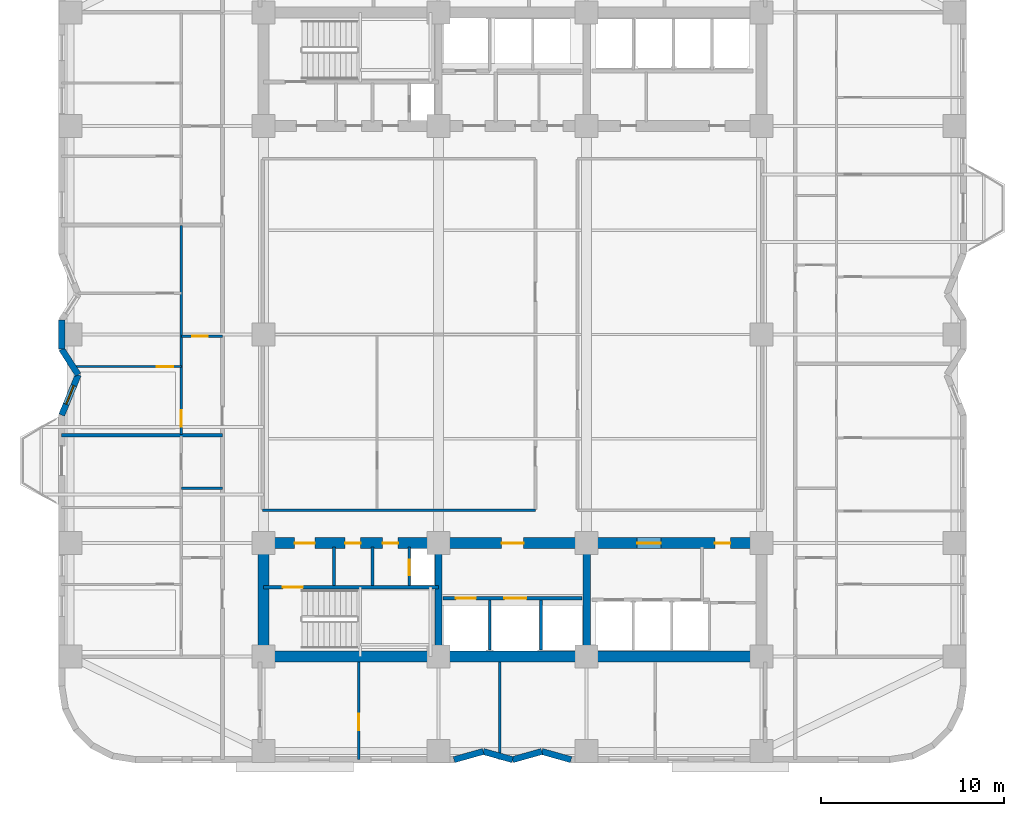
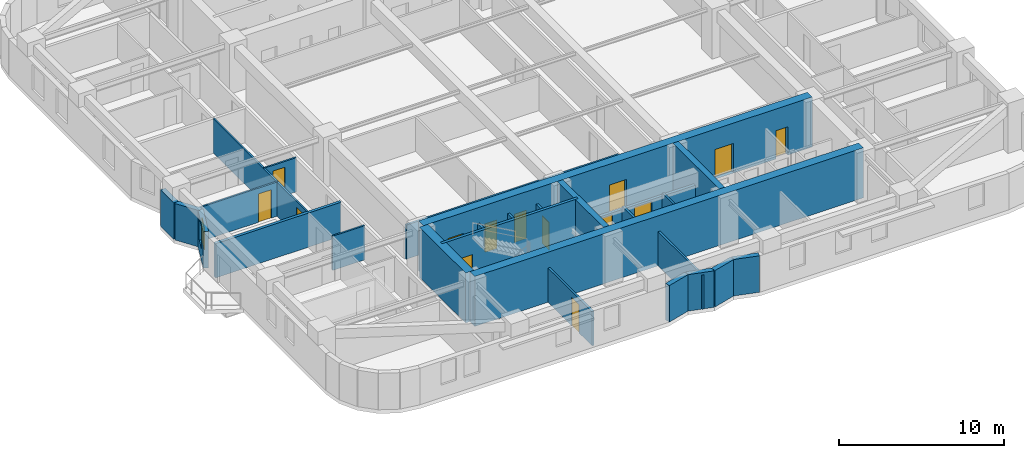
# One storey, part 3 of 11: 27 walls, 14 doors, 1 window, 15 openings.
"""IFC4 building model written with IfcOpenShell, lengths in metres."""

from ifc_helpers import new_model, si_unit, direction, frame, frame_2d, origin, place, context, subcontext, project, spatial, rectangle, extrude, material, layer, layer_set, type_object, element, fill, save


model = new_model("IFC4")

# Units and contexts
model_context = context("Model", 3, precision=1e-05, world=origin(), true_north=direction((0.0, 1.0)))
body_context = subcontext(model_context, "Body", "Model", "MODEL_VIEW")
ifc_project = project(units=[si_unit("LENGTHUNIT", "METRE"), si_unit("AREAUNIT", "SQUARE_METRE"), si_unit("VOLUMEUNIT", "CUBIC_METRE"), si_unit("PLANEANGLEUNIT", "RADIAN"), si_unit("MASSUNIT", "GRAM", prefix="KILO")], contexts=[model_context])

# Site, building, storey
site_placement = place(None, origin())
site = spatial("IfcSite", under=ifc_project, at=site_placement, CompositionType="ELEMENT")
building_placement = place(site_placement, origin())
building = spatial("IfcBuilding", under=site, at=building_placement, Name="Svetorya Sky Lyceum", CompositionType="ELEMENT")
storey_placement = place(building_placement, frame((0.0, 0.0, 36.199951171875)))
storey = spatial("IfcBuildingStorey", under=building, at=storey_placement, Name="L08", CompositionType="ELEMENT", Elevation=36.199951171875)

# Walls
ifc_material_1 = material(Name="Concrete C40/50", Category="concrete")
ifc_layer_1 = layer(ifc_material_1, 0.39990234375)
ifc_layer_set_1 = layer_set([ifc_layer_1], Name="Concrete C40/50")
wall_type_1 = type_object("IfcWallType", Name="WL-CORE-400", PredefinedType="SHEAR", material=ifc_layer_set_1)
for number, where, z_axis, x_axis, name in (
    (1, (35.14990234375, 10.89990234375, 0.0), (0.0, 0.0, 1.0), (0.0, 1.0, 0.0), "L08 SC Internal Shear Web WEB1"),
    (2, (43.25, 10.89990234375, 0.0), (0.0, 0.0, 1.0), (0.0, 1.0, 0.0), "L08 SC Internal Shear Web WEB2"),
):
    element("IfcWall", number, at=place(storey_placement, frame(where, z_axis=z_axis, x_axis=x_axis)), inside=storey, type_object=wall_type_1, Name=name, PredefinedType="SHEAR", context=body_context, shape_type="SweptSolid", body=[
        extrude(rectangle(XDim=5.60009765625, YDim=0.39990234375, at=frame_2d((2.800048828125, 0.0))), origin(), (0.0, 0.0, 1.0), 3.699951171875),
    ])
ifc_material_2 = material(Name="Concrete C60/75", Category="concrete")
ifc_layer_2 = layer(ifc_material_2, 0.60009765625)
ifc_layer_set_2 = layer_set([ifc_layer_2], Name="Concrete C60/75")
wall_type_2 = type_object("IfcWallType", Name="WL-CORE-600", PredefinedType="SHEAR", material=ifc_layer_set_2)
wall_1_placement = place(storey_placement, frame((52.800048828125, 10.60009765625, 0.0), z_axis=(0.0, 0.0, 1.0), x_axis=(-1.0, 0.0, 0.0)))
element("IfcWall", 3, at=wall_1_placement, inside=storey, type_object=wall_type_2, Name="L08 SC Outer Core Shear Wall", PredefinedType="SHEAR", context=body_context, shape_type="SweptSolid", body=[
    extrude(rectangle(XDim=27.199951171875, YDim=0.60009765625, at=frame_2d((13.60009765625, 0.0))), origin(), (0.0, 0.0, 1.0), 3.699951171875),
])
wall_2_placement = place(storey_placement, frame((25.60009765625, 10.89990234375, 0.0), z_axis=(0.0, 0.0, 1.0), x_axis=(0.0, 1.0, 0.0)))
element("IfcWall", 4, at=wall_2_placement, inside=storey, type_object=wall_type_2, Name="L08 SC West Core Shear Wall", PredefinedType="SHEAR", context=body_context, shape_type="SweptSolid", body=[
    extrude(rectangle(XDim=5.60009765625, YDim=0.60009765625, at=frame_2d((2.800048828125, 0.0))), origin(), (0.0, 0.0, 1.0), 3.699951171875),
])

# Wall, openings, doors
wall_3_placement = place(storey_placement, frame((25.60009765625, 16.800048828125, 0.0), z_axis=(0.0, 0.0, 1.0), x_axis=(1.0, 0.0, 0.0)))
wall_3 = element("IfcWall", 5, at=wall_3_placement, inside=storey, type_object=wall_type_2, Name="L08 SC Inner Core Shear Wall", PredefinedType="SHEAR", context=body_context, shape_type="SweptSolid", body=[
    extrude(rectangle(XDim=27.199951171875, YDim=0.60009765625, at=frame_2d((13.60009765625, 0.0))), origin(), (0.0, 0.0, 1.0), 3.699951171875),
])
opening_1_placement = place(wall_3_placement, frame((1.699951171875, 0.0, 0.0)))
opening_1 = element("IfcOpeningElement", 6, at=opening_1_placement, cuts=wall_3, Name="Opening D-ST1", PredefinedType="OPENING", context=body_context, shape_type="SweptSolid", body=[
    extrude(rectangle(XDim=1.10009765625, YDim=2.14990234375, at=frame_2d((0.550048828125, 1.074951171875))), frame((0.0, 0.31005859375, 0.0), z_axis=(0.0, -1.0, 0.0), x_axis=(1.0, 0.0, 0.0)), (0.0, 0.0, 1.0), 0.6201171875),
])
opening_2_placement = place(wall_3_placement, frame((4.449951171875, 0.0, 0.0)))
opening_2 = element("IfcOpeningElement", 7, at=opening_2_placement, cuts=wall_3, Name="Opening D-CWC1", PredefinedType="OPENING", context=body_context, shape_type="SweptSolid", body=[
    extrude(rectangle(XDim=0.85009765625, YDim=2.10009765625, at=frame_2d((0.425048828125, 1.050048828125))), frame((0.0, 0.31005859375, 0.0), z_axis=(0.0, -1.0, 0.0), x_axis=(1.0, 0.0, 0.0)), (0.0, 0.0, 1.0), 0.6201171875),
])
opening_3_placement = place(wall_3_placement, frame((6.5, 0.0, 0.0)))
opening_3 = element("IfcOpeningElement", 8, at=opening_3_placement, cuts=wall_3, Name="Opening D-CWC1", PredefinedType="OPENING", context=body_context, shape_type="SweptSolid", body=[
    extrude(rectangle(XDim=0.85009765625, YDim=2.10009765625, at=frame_2d((0.425048828125, 1.050048828125))), frame((0.0, 0.31005859375, 0.0), z_axis=(0.0, -1.0, 0.0), x_axis=(1.0, 0.0, 0.0)), (0.0, 0.0, 1.0), 0.6201171875),
])
opening_4_placement = place(wall_3_placement, frame((13.0, 0.0, 0.0)))
opening_4 = element("IfcOpeningElement", 9, at=opening_4_placement, cuts=wall_3, Name="Opening D-FL1", PredefinedType="OPENING", context=body_context, shape_type="SweptSolid", body=[
    extrude(rectangle(XDim=1.199951171875, YDim=2.14990234375, at=frame_2d((0.60009765625, 1.074951171875))), frame((0.0, 0.31005859375, 0.0), z_axis=(0.0, -1.0, 0.0), x_axis=(1.0, 0.0, 0.0)), (0.0, 0.0, 1.0), 0.6201171875),
])
opening_5_placement = place(wall_3_placement, frame((20.39990234375, 0.0, 0.0)))
opening_5 = element("IfcOpeningElement", 10, at=opening_5_placement, cuts=wall_3, Name="Opening D-LB1", PredefinedType="OPENING", context=body_context, shape_type="SweptSolid", body=[
    extrude(rectangle(XDim=1.300048828125, YDim=2.199951171875, at=frame_2d((0.64990234375, 1.10009765625))), frame((0.0, 0.31005859375, 0.0), z_axis=(0.0, -1.0, 0.0), x_axis=(1.0, 0.0, 0.0)), (0.0, 0.0, 1.0), 0.6201171875),
])
opening_6_placement = place(wall_3_placement, frame((24.64990234375, 0.0, 0.0)))
opening_6 = element("IfcOpeningElement", 11, at=opening_6_placement, cuts=wall_3, Name="Opening D-CWC1", PredefinedType="OPENING", context=body_context, shape_type="SweptSolid", body=[
    extrude(rectangle(XDim=0.85009765625, YDim=2.10009765625, at=frame_2d((0.425048828125, 1.050048828125))), frame((0.0, 0.31005859375, 0.0), z_axis=(0.0, -1.0, 0.0), x_axis=(1.0, 0.0, 0.0)), (0.0, 0.0, 1.0), 0.6201171875),
])
ifc_material_3 = material(Name="Fire-rated galvanized steel core service closet door", Category="steel")
door_type_1 = type_object("IfcDoorType", Name="DR-CWET-850", OperationType="SINGLE_SWING_LEFT", PredefinedType="DOOR", material=ifc_material_3)
door_1_placement = place(opening_2_placement, origin())
door_1 = element("IfcDoor", 12, at=door_1_placement, inside=storey, type_object=door_type_1, Name="L08 South Mop Closet Door", OperationType="SINGLE_SWING_LEFT", OverallHeight=2.10009765625, OverallWidth=0.85009765625, PredefinedType="DOOR", context=body_context, shape_type="SweptSolid", body=[
    extrude(rectangle(XDim=0.85009765625, YDim=2.10009765625, at=frame_2d((0.425048828125, 1.050048828125))), frame((0.0, 0.02490234375, 0.0), z_axis=(0.0, -1.0, 0.0), x_axis=(1.0, 0.0, 0.0)), (0.0, 0.0, 1.0), 0.050048828125),
])
fill(opening_2, door_1)
door_2_placement = place(opening_3_placement, origin())
door_2 = element("IfcDoor", 13, at=door_2_placement, inside=storey, type_object=door_type_1, Name="L08 South West WC Door", OperationType="SINGLE_SWING_RIGHT", OverallHeight=2.10009765625, OverallWidth=0.85009765625, PredefinedType="DOOR", context=body_context, shape_type="SweptSolid", body=[
    extrude(rectangle(XDim=0.85009765625, YDim=2.10009765625, at=frame_2d((0.425048828125, 1.050048828125))), frame((0.0, 0.02490234375, 0.0), z_axis=(0.0, -1.0, 0.0), x_axis=(1.0, 0.0, 0.0)), (0.0, 0.0, 1.0), 0.050048828125),
])
fill(opening_3, door_2)
door_3_placement = place(opening_6_placement, origin())
door_3 = element("IfcDoor", 14, at=door_3_placement, inside=storey, type_object=door_type_1, Name="L08 South Core Auxiliary Door", OperationType="SINGLE_SWING_LEFT", OverallHeight=2.10009765625, OverallWidth=0.85009765625, PredefinedType="DOOR", context=body_context, shape_type="SweptSolid", body=[
    extrude(rectangle(XDim=0.85009765625, YDim=2.10009765625, at=frame_2d((0.425048828125, 1.050048828125))), frame((0.0, 0.02490234375, 0.0), z_axis=(0.0, -1.0, 0.0), x_axis=(1.0, 0.0, 0.0)), (0.0, 0.0, 1.0), 0.050048828125),
])
fill(opening_6, door_3)
ifc_material_4 = material(Name="Powder-coated insulated galvanized stair fire door")
door_type_2 = type_object("IfcDoorType", Name="DR-FIRE-1100", OperationType="SINGLE_SWING_LEFT", PredefinedType="DOOR", material=ifc_material_4)
door_4_placement = place(opening_1_placement, origin())
door_4 = element("IfcDoor", 15, at=door_4_placement, inside=storey, type_object=door_type_2, Name="L08 South Stair Airlock Door", OperationType="SINGLE_SWING_RIGHT", OverallHeight=2.14990234375, OverallWidth=1.10009765625, PredefinedType="DOOR", context=body_context, shape_type="SweptSolid", body=[
    extrude(rectangle(XDim=1.10009765625, YDim=2.14990234375, at=frame_2d((0.550048828125, 1.074951171875))), frame((0.0, 0.02490234375, 0.0), z_axis=(0.0, -1.0, 0.0), x_axis=(1.0, 0.0, 0.0)), (0.0, 0.0, 1.0), 0.050048828125),
])
fill(opening_1, door_4)
ifc_material_5 = material(Name="Powder-coated insulated galvanized fire door")
door_type_3 = type_object("IfcDoorType", Name="DR-FIRE-1200", OperationType="SINGLE_SWING_LEFT", PredefinedType="DOOR", material=ifc_material_5)
door_5_placement = place(opening_4_placement, origin())
door_5 = element("IfcDoor", 16, at=door_5_placement, inside=storey, type_object=door_type_3, Name="L08 South Firefighting Lift Lobby Door", OperationType="SINGLE_SWING_LEFT", OverallHeight=2.14990234375, OverallWidth=1.199951171875, PredefinedType="DOOR", context=body_context, shape_type="SweptSolid", body=[
    extrude(rectangle(XDim=1.199951171875, YDim=2.14990234375, at=frame_2d((0.60009765625, 1.074951171875))), frame((0.0, 0.02490234375, 0.0), z_axis=(0.0, -1.0, 0.0), x_axis=(1.0, 0.0, 0.0)), (0.0, 0.0, 1.0), 0.050048828125),
])
fill(opening_4, door_5)
ifc_material_6 = material(Name="Glazed fire-rated aluminium lobby door", Category="aluminium")
door_type_4 = type_object("IfcDoorType", Name="DR-LOB-1300", OperationType="SINGLE_SWING_LEFT", PredefinedType="DOOR", material=ifc_material_6)
door_6_placement = place(opening_5_placement, origin())
door_6 = element("IfcDoor", 17, at=door_6_placement, inside=storey, type_object=door_type_4, Name="L08 Low-Rise Lift Lobby Door", OperationType="SINGLE_SWING_RIGHT", OverallHeight=2.199951171875, OverallWidth=1.300048828125, PredefinedType="DOOR", context=body_context, shape_type="SweptSolid", body=[
    extrude(rectangle(XDim=1.300048828125, YDim=2.199951171875, at=frame_2d((0.64990234375, 1.10009765625))), frame((0.0, 0.02490234375, 0.0), z_axis=(0.0, -1.0, 0.0), x_axis=(1.0, 0.0, 0.0)), (0.0, 0.0, 1.0), 0.050048828125),
])
fill(opening_5, door_6)

# Walls
ifc_material_7 = material(Name="Putilovo limestone rainscreen on autoclaved cellular masonry", Category="masonry")
ifc_layer_3 = layer(ifc_material_7, 0.340087890625)
ifc_layer_set_3 = layer_set([ifc_layer_3], Name="Putilovo limestone rainscreen on autoclaved cellular masonry")
wall_type_3 = type_object("IfcWallType", Name="WL-EXT-340", PredefinedType="SOLIDWALL", material=ifc_layer_set_3)
wall_4_placement = place(storey_placement, frame((36.0, 4.969970703125, 0.0), z_axis=(0.0, 0.0, 1.0), x_axis=(0.962662902433, 0.270703040766, 0.0)))
element("IfcWall", 18, at=wall_4_placement, inside=storey, type_object=wall_type_3, Name="L08 Limestone Exterior Wall 7M", PredefinedType="SOLIDWALL", context=body_context, shape_type="SweptSolid", body=[
    extrude(rectangle(XDim=1.662109375, YDim=0.340087890625, at=frame_2d((0.8310546875, 0.0))), origin(), (0.0, 0.0, 1.0), 2.699951171875),
])
wall_5_placement = place(storey_placement, frame((37.60009765625, 5.419921875, 0.0), z_axis=(0.0, 0.0, 1.0), x_axis=(0.962652136636, -0.270741322725, 0.0)))
element("IfcWall", 19, at=wall_5_placement, inside=storey, type_object=wall_type_3, Name="L08 Limestone Exterior Wall 8M", PredefinedType="SOLIDWALL", context=body_context, shape_type="SweptSolid", body=[
    extrude(rectangle(XDim=1.661865234375, YDim=0.340087890625, at=frame_2d((0.8310546875, 0.0))), origin(), (0.0, 0.0, 1.0), 2.699951171875),
])
wall_6_placement = place(storey_placement, frame((39.199951171875, 4.969970703125, 0.0), z_axis=(0.0, 0.0, 1.0), x_axis=(0.962662902433, 0.270703040766, 0.0)))
element("IfcWall", 20, at=wall_6_placement, inside=storey, type_object=wall_type_3, Name="L08 Limestone Exterior Wall 9M", PredefinedType="SOLIDWALL", context=body_context, shape_type="SweptSolid", body=[
    extrude(rectangle(XDim=1.662109375, YDim=0.340087890625, at=frame_2d((0.8310546875, 0.0))), origin(), (0.0, 0.0, 1.0), 2.699951171875),
])
wall_7_placement = place(storey_placement, frame((40.800048828125, 5.419921875, 0.0), z_axis=(0.0, 0.0, 1.0), x_axis=(0.962652136636, -0.270741322725, 0.0)))
element("IfcWall", 21, at=wall_7_placement, inside=storey, type_object=wall_type_3, Name="L08 Limestone Exterior Wall 10M", PredefinedType="SOLIDWALL", context=body_context, shape_type="SweptSolid", body=[
    extrude(rectangle(XDim=1.661865234375, YDim=0.340087890625, at=frame_2d((0.8310546875, 0.0))), origin(), (0.0, 0.0, 1.0), 2.699951171875),
])
wall_8_placement = place(storey_placement, frame((14.570068359375, 29.0, 0.0), z_axis=(0.0, 0.0, 1.0), x_axis=(0.0, -1.0, 0.0)))
element("IfcWall", 22, at=wall_8_placement, inside=storey, type_object=wall_type_3, Name="L08 Limestone Exterior Wall 43M", PredefinedType="SOLIDWALL", context=body_context, shape_type="SweptSolid", body=[
    extrude(rectangle(XDim=1.60009765625, YDim=0.340087890625, at=frame_2d((0.800048828125, 0.0))), origin(), (0.0, 0.0, 1.0), 2.699951171875),
])
wall_9_placement = place(storey_placement, frame((14.570068359375, 27.39990234375, 0.0), z_axis=(0.0, 0.0, 1.0), x_axis=(0.540742762169, -0.841188008214, 0.0)))
element("IfcWall", 23, at=wall_9_placement, inside=storey, type_object=wall_type_3, Name="L08 Limestone Exterior Wall 44M", PredefinedType="SOLIDWALL", context=body_context, shape_type="SweptSolid", body=[
    extrude(rectangle(XDim=1.664306640625, YDim=0.340087890625, at=frame_2d((0.83203125, 0.0))), origin(), (0.0, 0.0, 1.0), 2.699951171875),
])

# Wall, opening, window
wall_10_placement = place(storey_placement, frame((15.469970703125, 26.0, 0.0), z_axis=(0.0, 0.0, 1.0), x_axis=(-0.378604849088, -0.925558408879, 0.0)))
wall_10 = element("IfcWall", 24, at=wall_10_placement, inside=storey, type_object=wall_type_3, Name="L08 Limestone Exterior Wall 45M", PredefinedType="SOLIDWALL", context=body_context, shape_type="SweptSolid", body=[
    extrude(rectangle(XDim=2.376953125, YDim=0.340087890625, at=frame_2d((1.1884765625, 0.0))), origin(), (0.0, 0.0, 1.0), 2.699951171875),
])
opening_7_placement = place(wall_10_placement, frame((0.638427734375, 0.0, 0.889892578125)))
opening_7 = element("IfcOpeningElement", 25, at=opening_7_placement, cuts=wall_10, Name="Opening W-R3", PredefinedType="OPENING", context=body_context, shape_type="SweptSolid", body=[
    extrude(rectangle(XDim=1.10009765625, YDim=1.64990234375, at=frame_2d((0.550048828125, 0.824951171875))), frame((0.0, 0.179931640625, 0.0), z_axis=(0.0, -1.0, 0.0), x_axis=(1.0, 0.0, 0.0)), (0.0, 0.0, 1.0), 0.360107421875),
])
ifc_material_8 = material(Name="Thermally broken aluminium frame with triple low-E glazing", Category="aluminium")
window_type = type_object("IfcWindowType", Name="WN-RES-110", PartitioningType="SINGLE_PANEL", PredefinedType="WINDOW", material=ifc_material_8)
window_placement = place(opening_7_placement, origin())
window = element("IfcWindow", 26, at=window_placement, inside=storey, type_object=window_type, Name="L08 Facade Window W-R3.45M.1", OverallHeight=1.64990234375, OverallWidth=1.10009765625, PartitioningType="SINGLE_PANEL", PredefinedType="WINDOW", context=body_context, shape_type="SweptSolid", body=[
    extrude(rectangle(XDim=1.10009765625, YDim=1.64990234375, at=frame_2d((0.550048828125, 0.824951171875))), frame((0.0, 0.030029296875, 0.0), z_axis=(0.0, -1.0, 0.0), x_axis=(1.0, 0.0, 0.0)), (0.0, 0.0, 1.0), 0.06005859375),
])
fill(opening_7, window)

# Wall
ifc_material_9 = material(Name="Twin-stud galvanized framing with double fireboard", Category="gypsum")
ifc_layer_4 = layer(ifc_material_9, 0.1201171875)
ifc_layer_set_4 = layer_set([ifc_layer_4], Name="Twin-stud galvanized framing with double fireboard")
wall_type_4 = type_object("IfcWallType", Name="WL-PART-120", PredefinedType="PARTITIONING", material=ifc_layer_set_4)
wall_11_placement = place(storey_placement, frame((21.10009765625, 19.800048828125, 0.0), z_axis=(0.0, 0.0, 1.0), x_axis=(1.0, 0.0, 0.0)))
element("IfcWall", 27, at=wall_11_placement, inside=storey, type_object=wall_type_4, Name="L08 Interior Partition W1-WH2", PredefinedType="PARTITIONING", context=body_context, shape_type="SweptSolid", body=[
    extrude(rectangle(XDim=2.25, YDim=0.1201171875, at=frame_2d((1.125, 0.0))), origin(), (0.0, 0.0, 1.0), 2.530029296875),
])

# Wall, opening, door
wall_12_placement = place(storey_placement, frame((21.10009765625, 28.10009765625, 0.0), z_axis=(0.0, 0.0, 1.0), x_axis=(1.0, 0.0, 0.0)))
wall_12 = element("IfcWall", 28, at=wall_12_placement, inside=storey, type_object=wall_type_4, Name="L08 Interior Partition W2-WH1", PredefinedType="PARTITIONING", context=body_context, shape_type="SweptSolid", body=[
    extrude(rectangle(XDim=2.25, YDim=0.1201171875, at=frame_2d((1.125, 0.0))), origin(), (0.0, 0.0, 1.0), 2.530029296875),
])
opening_8_placement = place(wall_12_placement, frame((0.60009765625, 0.0, 0.0)))
opening_8 = element("IfcOpeningElement", 29, at=opening_8_placement, cuts=wall_12, Name="Opening D-BT1", PredefinedType="OPENING", context=body_context, shape_type="SweptSolid", body=[
    extrude(rectangle(XDim=0.85009765625, YDim=2.10009765625, at=frame_2d((0.425048828125, 1.050048828125))), frame((0.0, 0.070068359375, 0.0), z_axis=(0.0, -1.0, 0.0), x_axis=(1.0, 0.0, 0.0)), (0.0, 0.0, 1.0), 0.14013671875),
])
ifc_material_10 = material(Name="Moisture-resistant laminate bathroom door")
door_type_5 = type_object("IfcDoorType", Name="DR-WET-850", OperationType="SINGLE_SWING_LEFT", PredefinedType="DOOR", material=ifc_material_10)
door_7_placement = place(opening_8_placement, origin())
door_7 = element("IfcDoor", 30, at=door_7_placement, inside=storey, type_object=door_type_5, Name="Apartment W2 Bathroom Door", OperationType="SINGLE_SWING_RIGHT", OverallHeight=2.10009765625, OverallWidth=0.85009765625, PredefinedType="DOOR", context=body_context, shape_type="SweptSolid", body=[
    extrude(rectangle(XDim=0.85009765625, YDim=2.10009765625, at=frame_2d((0.425048828125, 1.050048828125))), frame((0.0, 0.02490234375, 0.0), z_axis=(0.0, -1.0, 0.0), x_axis=(1.0, 0.0, 0.0)), (0.0, 0.0, 1.0), 0.050048828125),
])
fill(opening_8, door_7)

wall_13_placement = place(storey_placement, frame((15.1806640625, 26.449951171875, 0.0), z_axis=(0.0, 0.0, 1.0), x_axis=(1.0, 0.0, 0.0)))
wall_13 = element("IfcWall", 31, at=wall_13_placement, inside=storey, type_object=wall_type_4, Name="L08 Interior Partition W2-WL1", PredefinedType="PARTITIONING", context=body_context, shape_type="SweptSolid", body=[
    extrude(rectangle(XDim=5.91943359375, YDim=0.1201171875, at=frame_2d((2.959716796875, 0.0))), origin(), (0.0, 0.0, 1.0), 2.530029296875),
])
opening_9_placement = place(wall_13_placement, frame((4.5693359375, 0.0, 0.0)))
opening_9 = element("IfcOpeningElement", 32, at=opening_9_placement, cuts=wall_13, Name="Opening D-RM1", PredefinedType="OPENING", context=body_context, shape_type="SweptSolid", body=[
    extrude(rectangle(XDim=0.89990234375, YDim=2.10009765625, at=frame_2d((0.449951171875, 1.050048828125))), frame((0.0, 0.070068359375, 0.0), z_axis=(0.0, -1.0, 0.0), x_axis=(1.0, 0.0, 0.0)), (0.0, 0.0, 1.0), 0.14013671875),
])
ifc_material_11 = material(Name="Lacquered birch veneer internal door")
door_type_6 = type_object("IfcDoorType", Name="DR-INT-900", OperationType="SINGLE_SWING_LEFT", PredefinedType="DOOR", material=ifc_material_11)
door_8_placement = place(opening_9_placement, origin())
door_8 = element("IfcDoor", 33, at=door_8_placement, inside=storey, type_object=door_type_6, Name="Apartment W2 Master Bedroom Door", OperationType="SINGLE_SWING_RIGHT", OverallHeight=2.10009765625, OverallWidth=0.89990234375, PredefinedType="DOOR", context=body_context, shape_type="SweptSolid", body=[
    extrude(rectangle(XDim=0.89990234375, YDim=2.10009765625, at=frame_2d((0.449951171875, 1.050048828125))), frame((0.0, 0.02490234375, 0.0), z_axis=(0.0, -1.0, 0.0), x_axis=(1.0, 0.0, 0.0)), (0.0, 0.0, 1.0), 0.050048828125),
])
fill(opening_9, door_8)

wall_14_placement = place(storey_placement, frame((21.10009765625, 22.739990234375, 0.0), z_axis=(0.0, 0.0, 1.0), x_axis=(0.0, 1.0, 0.0)))
wall_14 = element("IfcWall", 34, at=wall_14_placement, inside=storey, type_object=wall_type_4, Name="L08 Interior Partition W2-WV", PredefinedType="PARTITIONING", context=body_context, shape_type="SweptSolid", body=[
    extrude(rectangle(XDim=11.404052734375, YDim=0.1201171875, at=frame_2d((5.7021484375, 0.0))), origin(), (0.0, 0.0, 1.0), 2.530029296875),
])
opening_10_placement = place(wall_14_placement, frame((0.409912109375, 0.0, 0.0)))
opening_10 = element("IfcOpeningElement", 35, at=opening_10_placement, cuts=wall_14, Name="Opening D-RM1", PredefinedType="OPENING", context=body_context, shape_type="SweptSolid", body=[
    extrude(rectangle(XDim=0.89990234375, YDim=2.10009765625, at=frame_2d((0.449951171875, 1.050048828125))), frame((0.0, 0.070068359375, 0.0), z_axis=(0.0, -1.0, 0.0), x_axis=(1.0, 0.0, 0.0)), (0.0, 0.0, 1.0), 0.14013671875),
])
door_9_placement = place(opening_10_placement, origin())
door_9 = element("IfcDoor", 36, at=door_9_placement, inside=storey, type_object=door_type_6, Name="Apartment W2 Living Door", OperationType="SINGLE_SWING_LEFT", OverallHeight=2.10009765625, OverallWidth=0.89990234375, PredefinedType="DOOR", context=body_context, shape_type="SweptSolid", body=[
    extrude(rectangle(XDim=0.89990234375, YDim=2.10009765625, at=frame_2d((0.449951171875, 1.050048828125))), frame((0.0, 0.02490234375, 0.0), z_axis=(0.0, -1.0, 0.0), x_axis=(1.0, 0.0, 0.0)), (0.0, 0.0, 1.0), 0.050048828125),
])
fill(opening_10, door_9)

# Walls
ifc_material_12 = material(Name="Autoclaved cellular masonry blockwork with acoustic render", Category="masonry")
ifc_layer_5 = layer(ifc_material_12, 0.14990234375)
ifc_layer_set_5 = layer_set([ifc_layer_5], Name="Autoclaved cellular masonry blockwork with acoustic render")
wall_type_5 = type_object("IfcWallType", Name="WL-PART-150", PredefinedType="PARTITIONING", material=ifc_layer_set_5)
for number, where, z_axis, x_axis, name in (
    (37, (29.449951171875, 14.5, 0.0), (0.0, 0.0, 1.0), (0.0, 1.0, 0.0), "L08 Interior Partition SC-SWD1"),
    (38, (31.550048828125, 14.5, 0.0), (0.0, 0.0, 1.0), (0.0, 1.0, 0.0), "L08 Interior Partition SC-SWD2"),
):
    element("IfcWall", number, at=place(storey_placement, frame(where, z_axis=z_axis, x_axis=x_axis)), inside=storey, type_object=wall_type_5, Name=name, PredefinedType="PARTITIONING", context=body_context, shape_type="SweptSolid", body=[
        extrude(rectangle(XDim=2.080078125, YDim=0.14990234375, at=frame_2d((1.0400390625, 0.0))), origin(), (0.0, 0.0, 1.0), 2.530029296875),
    ])

# Wall, opening, door
wall_15_placement = place(storey_placement, frame((33.550048828125, 14.5, 0.0), z_axis=(0.0, 0.0, 1.0), x_axis=(0.0, 1.0, 0.0)))
wall_15 = element("IfcWall", 39, at=wall_15_placement, inside=storey, type_object=wall_type_5, Name="L08 Interior Partition SC-SWD3", PredefinedType="PARTITIONING", context=body_context, shape_type="SweptSolid", body=[
    extrude(rectangle(XDim=2.080078125, YDim=0.14990234375, at=frame_2d((1.0400390625, 0.0))), origin(), (0.0, 0.0, 1.0), 2.530029296875),
])
opening_11_placement = place(wall_15_placement, frame((0.550048828125, 0.0, 0.0)))
opening_11 = element("IfcOpeningElement", 40, at=opening_11_placement, cuts=wall_15, Name="Opening D-SH1", PredefinedType="OPENING", context=body_context, shape_type="SweptSolid", body=[
    extrude(rectangle(XDim=0.85009765625, YDim=2.050048828125, at=frame_2d((0.425048828125, 1.02490234375))), frame((0.0, 0.0849609375, 0.0), z_axis=(0.0, -1.0, 0.0), x_axis=(1.0, 0.0, 0.0)), (0.0, 0.0, 1.0), 0.169921875),
])
ifc_material_13 = material(Name="Insulated galvanized riser inspection fire door")
door_type_7 = type_object("IfcDoorType", Name="DR-SHFT-850", OperationType="SINGLE_SWING_LEFT", PredefinedType="TRAPDOOR", material=ifc_material_13)
door_10_placement = place(opening_11_placement, origin())
door_10 = element("IfcDoor", 41, at=door_10_placement, inside=storey, type_object=door_type_7, Name="L08 South Riser Access Door", OperationType="SINGLE_SWING_RIGHT", OverallHeight=2.050048828125, OverallWidth=0.85009765625, PredefinedType="TRAPDOOR", context=body_context, shape_type="SweptSolid", body=[
    extrude(rectangle(XDim=0.85009765625, YDim=2.050048828125, at=frame_2d((0.425048828125, 1.02490234375))), frame((0.0, 0.02490234375, 0.0), z_axis=(0.0, -1.0, 0.0), x_axis=(1.0, 0.0, 0.0)), (0.0, 0.0, 1.0), 0.050048828125),
])
fill(opening_11, door_10)

# Walls
for number, where, z_axis, x_axis, name in (
    (42, (37.949951171875, 10.949951171875, 0.0), (0.0, 0.0, 1.0), (0.0, 1.0, 0.0), "L08 Interior Partition SC-SHD1"),
    (43, (40.75, 10.949951171875, 0.0), (0.0, 0.0, 1.0), (0.0, 1.0, 0.0), "L08 Interior Partition SC-SHD2"),
):
    element("IfcWall", number, at=place(storey_placement, frame(where, z_axis=z_axis, x_axis=x_axis)), inside=storey, type_object=wall_type_5, Name=name, PredefinedType="PARTITIONING", context=body_context, shape_type="SweptSolid", body=[
        extrude(rectangle(XDim=2.75, YDim=0.14990234375, at=frame_2d((1.375, 0.0))), origin(), (0.0, 0.0, 1.0), 2.530029296875),
    ])
wall_16_placement = place(storey_placement, frame((25.550048828125, 18.60009765625, 0.0), z_axis=(0.0, 0.0, 1.0), x_axis=(1.0, 0.0, 0.0)))
element("IfcWall", 44, at=wall_16_placement, inside=storey, type_object=wall_type_5, Name="L08 Interior Partition CS-MID-W", PredefinedType="PARTITIONING", context=body_context, shape_type="SweptSolid", body=[
    extrude(rectangle(XDim=14.89990234375, YDim=0.14990234375, at=frame_2d((7.449951171875, 0.0))), origin(), (0.0, 0.0, 1.0), 2.530029296875),
])

# Wall, opening, door
wall_17_placement = place(storey_placement, frame((30.800048828125, 4.969970703125, 0.0), z_axis=(0.0, 0.0, 1.0), x_axis=(0.0, 1.0, 0.0)))
wall_17 = element("IfcWall", 45, at=wall_17_placement, inside=storey, type_object=wall_type_5, Name="L08 Interior Partition S4-D1", PredefinedType="PARTITIONING", context=body_context, shape_type="SweptSolid", body=[
    extrude(rectangle(XDim=5.330078125, YDim=0.14990234375, at=frame_2d((2.6650390625, 0.0))), origin(), (0.0, 0.0, 1.0), 2.530029296875),
])
opening_12_placement = place(wall_17_placement, frame((1.60009765625, 0.0, 0.0)))
opening_12 = element("IfcOpeningElement", 46, at=opening_12_placement, cuts=wall_17, Name="Opening D-RM1", PredefinedType="OPENING", context=body_context, shape_type="SweptSolid", body=[
    extrude(rectangle(XDim=0.89990234375, YDim=2.10009765625, at=frame_2d((0.449951171875, 1.050048828125))), frame((0.0, 0.0849609375, 0.0), z_axis=(0.0, -1.0, 0.0), x_axis=(1.0, 0.0, 0.0)), (0.0, 0.0, 1.0), 0.169921875),
])
door_11_placement = place(opening_12_placement, origin())
door_11 = element("IfcDoor", 47, at=door_11_placement, inside=storey, type_object=door_type_6, Name="L08 South Suite Door 1", OperationType="SINGLE_SWING_LEFT", OverallHeight=2.10009765625, OverallWidth=0.89990234375, PredefinedType="DOOR", context=body_context, shape_type="SweptSolid", body=[
    extrude(rectangle(XDim=0.89990234375, YDim=2.10009765625, at=frame_2d((0.449951171875, 1.050048828125))), frame((0.0, 0.02490234375, 0.0), z_axis=(0.0, -1.0, 0.0), x_axis=(1.0, 0.0, 0.0)), (0.0, 0.0, 1.0), 0.050048828125),
])
fill(opening_12, door_11)

# Wall
wall_18_placement = place(storey_placement, frame((38.5, 4.969970703125, 0.0), z_axis=(0.0, 0.0, 1.0), x_axis=(0.0, 1.0, 0.0)))
element("IfcWall", 48, at=wall_18_placement, inside=storey, type_object=wall_type_5, Name="L08 Interior Partition S4-D2", PredefinedType="PARTITIONING", context=body_context, shape_type="SweptSolid", body=[
    extrude(rectangle(XDim=5.330078125, YDim=0.14990234375, at=frame_2d((2.6650390625, 0.0))), origin(), (0.0, 0.0, 1.0), 2.530029296875),
])

# Wall, openings, doors
ifc_material_14 = material(Name="Autoclaved cellular masonry blockwork with gypsum plaster", Category="masonry")
ifc_layer_6 = layer(ifc_material_14, 0.199951171875)
ifc_layer_set_6 = layer_set([ifc_layer_6], Name="Autoclaved cellular masonry blockwork with gypsum plaster")
wall_type_6 = type_object("IfcWallType", Name="WL-PART-200", PredefinedType="PARTITIONING", material=ifc_layer_set_6)
wall_19_placement = place(storey_placement, frame((35.39990234375, 13.800048828125, 0.0), z_axis=(0.0, 0.0, 1.0), x_axis=(1.0, 0.0, 0.0)))
wall_19 = element("IfcWall", 49, at=wall_19_placement, inside=storey, type_object=wall_type_6, Name="L08 Interior Partition SC-FLW", PredefinedType="PARTITIONING", context=body_context, shape_type="SweptSolid", body=[
    extrude(rectangle(XDim=7.60009765625, YDim=0.199951171875, at=frame_2d((3.800048828125, 0.0))), origin(), (0.0, 0.0, 1.0), 2.300048828125),
])
opening_13_placement = place(wall_19_placement, frame((0.699951171875, 0.0, 0.0)))
opening_13 = element("IfcOpeningElement", 50, at=opening_13_placement, cuts=wall_19, Name="Opening LD-FL", PredefinedType="OPENING", context=body_context, shape_type="SweptSolid", body=[
    extrude(rectangle(XDim=1.10009765625, YDim=2.14990234375, at=frame_2d((0.550048828125, 1.074951171875))), frame((0.0, 0.10986328125, 0.0), z_axis=(0.0, -1.0, 0.0), x_axis=(1.0, 0.0, 0.0)), (0.0, 0.0, 1.0), 0.219970703125),
])
opening_14_placement = place(wall_19_placement, frame((3.35009765625, 0.0, 0.0)))
opening_14 = element("IfcOpeningElement", 51, at=opening_14_placement, cuts=wall_19, Name="Opening LD-SV", PredefinedType="OPENING", context=body_context, shape_type="SweptSolid", body=[
    extrude(rectangle(XDim=1.199951171875, YDim=2.14990234375, at=frame_2d((0.60009765625, 1.074951171875))), frame((0.0, 0.10986328125, 0.0), z_axis=(0.0, -1.0, 0.0), x_axis=(1.0, 0.0, 0.0)), (0.0, 0.0, 1.0), 0.219970703125),
])
ifc_material_15 = material(Name="Fire-rated stainless AISI 304 firefighting lift landing door")
door_type_8 = type_object("IfcDoorType", Name="DR-LIFT-1100", OperationType="SLIDING_TO_LEFT", PredefinedType="DOOR", material=ifc_material_15)
door_12_placement = place(opening_13_placement, origin())
door_12 = element("IfcDoor", 52, at=door_12_placement, inside=storey, type_object=door_type_8, Name="L08 Firefighting Lift FL2 Landing Door", OperationType="SLIDING_TO_LEFT", OverallHeight=2.14990234375, OverallWidth=1.10009765625, PredefinedType="DOOR", context=body_context, shape_type="SweptSolid", body=[
    extrude(rectangle(XDim=1.10009765625, YDim=2.14990234375, at=frame_2d((0.550048828125, 1.074951171875))), frame((0.0, 0.02490234375, 0.0), z_axis=(0.0, -1.0, 0.0), x_axis=(1.0, 0.0, 0.0)), (0.0, 0.0, 1.0), 0.050048828125),
])
fill(opening_13, door_12)
ifc_material_16 = material(Name="Brushed stainless AISI 304 telescopic lift landing door")
door_type_9 = type_object("IfcDoorType", Name="DR-LIFT-1200", OperationType="SLIDING_TO_LEFT", PredefinedType="DOOR", material=ifc_material_16)
door_13_placement = place(opening_14_placement, origin())
door_13 = element("IfcDoor", 53, at=door_13_placement, inside=storey, type_object=door_type_9, Name="L08 Service Lift SVL1 Landing Door", OperationType="SLIDING_TO_LEFT", OverallHeight=2.14990234375, OverallWidth=1.199951171875, PredefinedType="DOOR", context=body_context, shape_type="SweptSolid", body=[
    extrude(rectangle(XDim=1.199951171875, YDim=2.14990234375, at=frame_2d((0.60009765625, 1.074951171875))), frame((0.0, 0.02490234375, 0.0), z_axis=(0.0, -1.0, 0.0), x_axis=(1.0, 0.0, 0.0)), (0.0, 0.0, 1.0), 0.050048828125),
])
fill(opening_14, door_13)

# Wall
wall_20_placement = place(storey_placement, frame((14.570068359375, 22.699951171875, 0.0), z_axis=(0.0, 0.0, 1.0), x_axis=(1.0, 0.0, 0.0)))
element("IfcWall", 54, at=wall_20_placement, inside=storey, type_object=wall_type_6, Name="L08 Interior Partition W-PARTY-1", PredefinedType="PARTITIONING", context=body_context, shape_type="SweptSolid", body=[
    extrude(rectangle(XDim=8.780029296875, YDim=0.199951171875, at=frame_2d((4.39013671875, 0.0))), origin(), (0.0, 0.0, 1.0), 2.530029296875),
])

# Wall, opening, door
ifc_material_17 = material(Name="Concrete C50/60", Category="concrete")
ifc_layer_7 = layer(ifc_material_17, 0.199951171875)
ifc_layer_set_7 = layer_set([ifc_layer_7], Name="Concrete C50/60")
wall_type_7 = type_object("IfcWallType", Name="WL-SHW-200", PredefinedType="SHEAR", material=ifc_layer_set_7)
wall_21_placement = place(storey_placement, frame((25.60009765625, 14.39990234375, 0.0), z_axis=(0.0, 0.0, 1.0), x_axis=(1.0, 0.0, 0.0)))
wall_21 = element("IfcWall", 55, at=wall_21_placement, inside=storey, type_object=wall_type_7, Name="L08 Structural Stair Shaft Wall SC-STW", PredefinedType="SHEAR", context=body_context, shape_type="SweptSolid", body=[
    extrude(rectangle(XDim=9.5498046875, YDim=0.199951171875, at=frame_2d((4.77490234375, 0.0))), origin(), (0.0, 0.0, 1.0), 3.699951171875),
])
opening_15_placement = place(wall_21_placement, frame((1.050048828125, 0.0, 0.0)))
opening_15 = element("IfcOpeningElement", 56, at=opening_15_placement, cuts=wall_21, Name="Opening D-ST1", PredefinedType="OPENING", context=body_context, shape_type="SweptSolid", body=[
    extrude(rectangle(XDim=1.10009765625, YDim=2.14990234375, at=frame_2d((0.550048828125, 1.074951171875))), frame((0.0, 0.10986328125, 0.0), z_axis=(0.0, -1.0, 0.0), x_axis=(1.0, 0.0, 0.0)), (0.0, 0.0, 1.0), 0.219970703125),
])
door_14_placement = place(opening_15_placement, origin())
door_14 = element("IfcDoor", 57, at=door_14_placement, inside=storey, type_object=door_type_2, Name="L08 Stair ST-S Vestibule Fire Door", OperationType="SINGLE_SWING_LEFT", OverallHeight=2.14990234375, OverallWidth=1.10009765625, PredefinedType="DOOR", context=body_context, shape_type="SweptSolid", body=[
    extrude(rectangle(XDim=1.10009765625, YDim=2.14990234375, at=frame_2d((0.550048828125, 1.074951171875))), frame((0.0, 0.02490234375, 0.0), z_axis=(0.0, -1.0, 0.0), x_axis=(1.0, 0.0, 0.0)), (0.0, 0.0, 1.0), 0.050048828125),
])
fill(opening_15, door_14)

save(model, "model.ifc")
